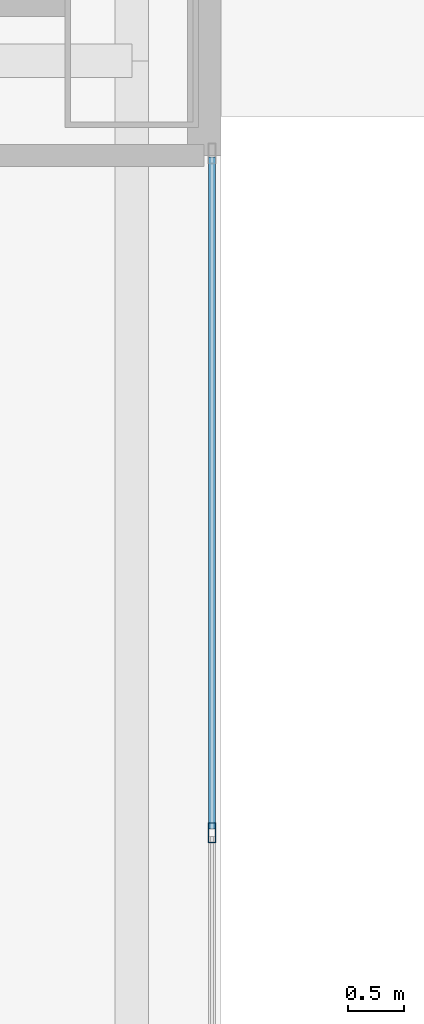
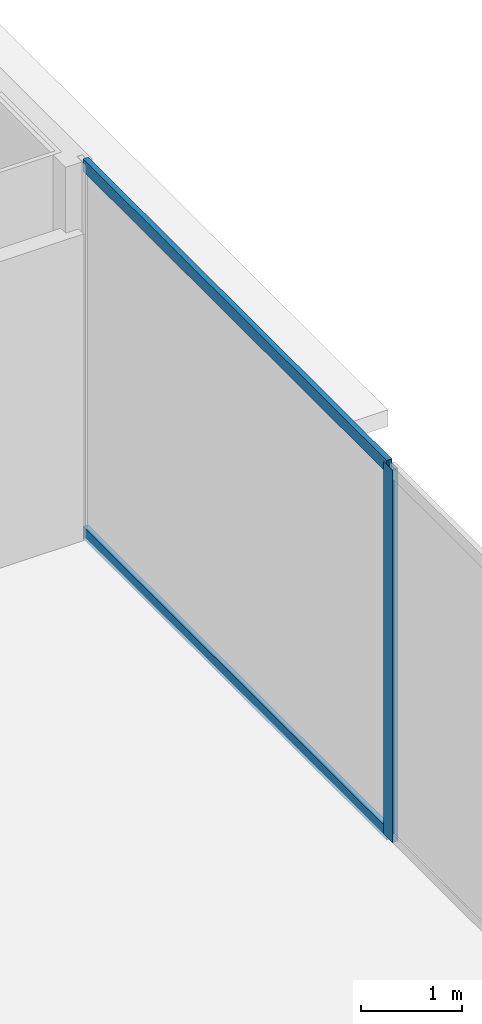
# One storey, part 25 of 58: 3 members, 1 element without a shape of its own.
"""IFC4 building model written with IfcOpenShell, lengths in metres."""

from ifc_helpers import new_model, si_unit, direction, frame, origin, origin_2d, place, context, subcontext, project, spatial, hollow_rectangle, extrude, source, transform, mapped, material, layer, layer_set, material_profile, profile_set, type_object, element, aggregate, save


model = new_model("IFC4")

# Units and contexts
model_context = context("Model", 3, precision=1e-05, world=origin(), true_north=direction((0.0, 1.0)))
body_context = subcontext(model_context, "Body", "Model", "MODEL_VIEW")
ifc_project = project(units=[si_unit("LENGTHUNIT", "METRE"), si_unit("AREAUNIT", "SQUARE_METRE"), si_unit("VOLUMEUNIT", "CUBIC_METRE"), si_unit("PLANEANGLEUNIT", "RADIAN"), si_unit("MASSUNIT", "GRAM", prefix="KILO"), si_unit("THERMODYNAMICTEMPERATUREUNIT", "KELVIN"), si_unit("POWERUNIT", "WATT")], contexts=[model_context])

# Site, building, storey
site_placement = place(None, origin())
site = spatial("IfcSite", under=ifc_project, at=site_placement, CompositionType="ELEMENT")
building_placement = place(site_placement, origin())
building = spatial("IfcBuilding", under=site, at=building_placement, Name="Yunzhuo Pagoda Commons", CompositionType="ELEMENT")
storey_placement = place(building_placement, origin())
storey = spatial("IfcBuildingStorey", under=building, at=storey_placement, Name="L01", CompositionType="ELEMENT", Elevation=0.0)

# Curtain wall, members
ifc_material = material(Name="Anodized aluminium 6063-T6", Category="aluminium")
ifc_layer = layer(ifc_material, 0.179931640625)
ifc_layer_set = layer_set([ifc_layer], Name="Anodized aluminium 6063-T6")
curtain_wall_type = type_object("IfcCurtainWallType", Name="CW-POD Waterfront Podium Curtain Wall", PredefinedType="NOTDEFINED", material=ifc_layer_set)
curtain_wall_placement = place(storey_placement, origin())
curtain_wall = element("IfcCurtainWall", 1, at=curtain_wall_placement, inside=storey, type_object=curtain_wall_type, Name="L01 curtain wall CW-L01-E2", PredefinedType="NOTDEFINED")
ifc_material_profile_1 = material_profile(ifc_material, hollow_rectangle(XDim=0.06494140625, YDim=0.179931640625, WallThickness=0.00390625, at=origin_2d()), Name="Anodized aluminium 6063-T6")
ifc_profile_set_1 = profile_set([ifc_material_profile_1], Name="Anodized aluminium 6063-T6")
member_type_1 = type_object("IfcMemberType", Name="CW-POD-M Mullion RHS 180x65x4", PredefinedType="MULLION", material=ifc_profile_set_1)
shared_shape_1 = source(origin(), body_context, "Body", "SweptSolid", [
    extrude(hollow_rectangle(XDim=0.06494140625, YDim=0.179931640625, WallThickness=0.00390625, at=origin_2d()), origin(), (0.0, 0.0, 1.0), 4.520263671875),
])
member_1_placement = place(storey_placement, frame((91.919921875, 35.066650390625, 0.0), z_axis=(0.0, 0.0, 1.0), x_axis=(-1.0, 0.0, 0.0)))
member_1 = element("IfcMember", 2, at=member_1_placement, type_object=member_type_1, Name="CW mullion 3", PredefinedType="MULLION", context=body_context, shape_type="MappedRepresentation", body=[
    mapped(shared_shape_1, transform((0.0, 0.0, 0.0), scale=1.0)),
])
ifc_material_profile_2 = material_profile(ifc_material, hollow_rectangle(XDim=0.06005859375, YDim=0.14990234375, WallThickness=0.00390625, at=origin_2d()), Name="Anodized aluminium 6063-T6")
ifc_profile_set_2 = profile_set([ifc_material_profile_2], Name="Anodized aluminium 6063-T6")
member_type_2 = type_object("IfcMemberType", Name="CW-POD-T Transom RHS 150x60x4", PredefinedType="USERDEFINED", material=ifc_profile_set_2)
shared_shape_2 = source(origin(), body_context, "Body", "SweptSolid", [
    extrude(hollow_rectangle(XDim=0.06005859375, YDim=0.14990234375, WallThickness=0.00390625, at=origin_2d()), origin(), (0.0, 0.0, 1.0), 6.035888671875),
])
member_2_placement = place(storey_placement, frame((91.919921875, 35.09912109375, 0.030029296875), z_axis=(0.0, 1.0, 0.0), x_axis=(-1.0, 0.0, 0.0)))
member_2 = element("IfcMember", 3, at=member_2_placement, type_object=member_type_2, Name="CW transom 3.1", ObjectType="TRANSOM", PredefinedType="USERDEFINED", context=body_context, shape_type="MappedRepresentation", body=[
    mapped(shared_shape_2, transform((0.0, 0.0, 0.0), scale=1.0)),
])
member_3_placement = place(storey_placement, frame((91.919921875, 35.09912109375, 4.489990234375), z_axis=(0.0, 1.0, 0.0), x_axis=(-1.0, 0.0, 0.0)))
member_3 = element("IfcMember", 4, at=member_3_placement, type_object=member_type_2, Name="CW transom 3.2", ObjectType="TRANSOM", PredefinedType="USERDEFINED", context=body_context, shape_type="MappedRepresentation", body=[
    mapped(shared_shape_2, transform((0.0, 0.0, 0.0), scale=1.0)),
])
aggregate(curtain_wall, [member_1, member_2, member_3])

save(model, "model.ifc")
